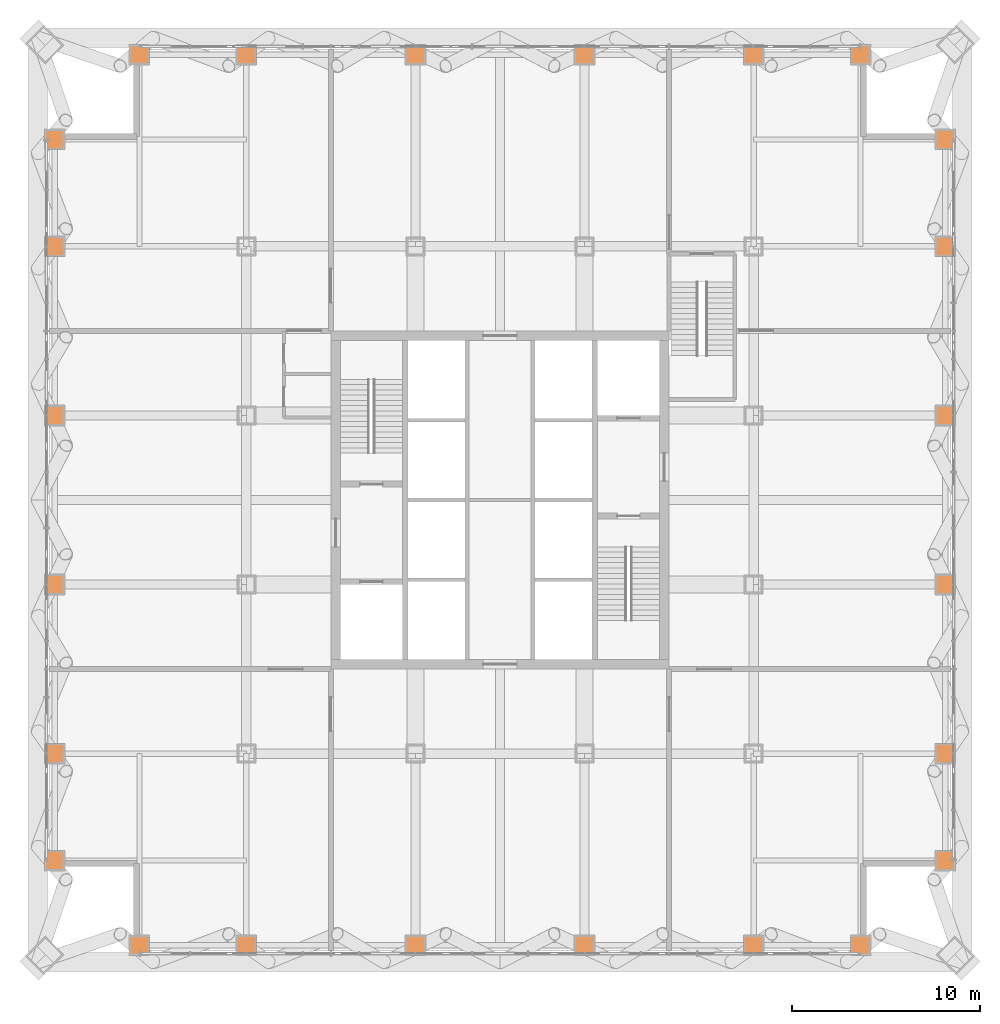
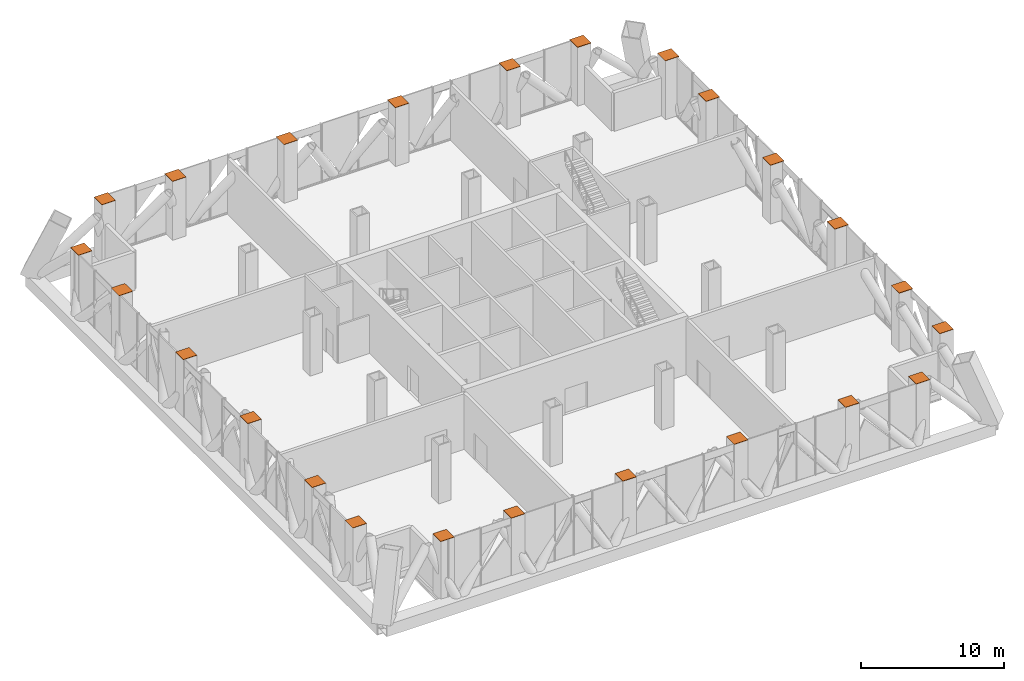
# One storey, part 29 of 29: 24 proxies.
"""IFC4 building model written with IfcOpenShell, lengths in metres."""

from ifc_helpers import new_model, si_unit, direction, frame, origin, origin_2d, place, context, subcontext, project, spatial, rectangle, extrude, material, layer, layer_set, type_object, element, save


model = new_model("IFC4")

# Units and contexts
model_context = context("Model", 3, precision=1e-05, world=origin(), true_north=direction((0.0, 1.0)))
body_context = subcontext(model_context, "Body", "Model", "MODEL_VIEW")
ifc_project = project(units=[si_unit("LENGTHUNIT", "METRE"), si_unit("AREAUNIT", "SQUARE_METRE"), si_unit("VOLUMEUNIT", "CUBIC_METRE"), si_unit("PLANEANGLEUNIT", "RADIAN"), si_unit("MASSUNIT", "GRAM", prefix="KILO")], contexts=[model_context])

# Site, building, storey
site_placement = place(None, origin())
site = spatial("IfcSite", under=ifc_project, at=site_placement, CompositionType="ELEMENT")
building_placement = place(site_placement, origin())
building = spatial("IfcBuilding", under=site, at=building_placement, Name="Malebo Sky Hospital", CompositionType="ELEMENT")
storey_placement = place(building_placement, frame((0.0, 0.0, 172.0)))
storey = spatial("IfcBuildingStorey", under=building, at=storey_placement, Name="L41", CompositionType="ELEMENT", Elevation=172.0)

# Proxies
ifc_material = material(Name="Steel S355", Category="steel")
ifc_layer = layer(ifc_material, 0.030029296875)
ifc_layer_set = layer_set([ifc_layer], Name="COLUMN CAP PLATE 1100x1100x30")
building_element_proxy_type = type_object("IfcBuildingElementProxyType", Name="COLUMN CAP PLATE 1100x1100x30", PredefinedType="USERDEFINED", material=ifc_layer_set)
for number, where, name in (
    (1, (83.699951171875, 75.5, -172.0), "Column cap plate PC10 L41"),
    (2, (83.699951171875, 81.199951171875, -172.0), "Column cap plate PC10 L41"),
    (3, (83.699951171875, 66.5, -172.0), "Column cap plate PC10 L41"),
    (4, (83.699951171875, 48.5, -172.0), "Column cap plate PC10 L41"),
    (5, (83.699951171875, 42.800048828125, -172.0), "Column cap plate PC10 L41"),
    (6, (83.699951171875, 57.5, -172.0), "Column cap plate PC10 L41"),
    (7, (73.5, 85.699951171875, -172.0), "Column cap plate PC10 L41"),
    (8, (79.199951171875, 85.699951171875, -172.0), "Column cap plate PC10 L41"),
    (9, (64.5, 85.699951171875, -172.0), "Column cap plate PC10 L41"),
    (10, (46.5, 85.699951171875, -172.0), "Column cap plate PC10 L41"),
    (11, (40.800048828125, 85.699951171875, -172.0), "Column cap plate PC10 L41"),
    (12, (55.5, 85.699951171875, -172.0), "Column cap plate PC10 L41"),
    (13, (73.5, 38.300048828125, -172.0), "Column cap plate PC10 L41"),
    (14, (79.199951171875, 38.300048828125, -172.0), "Column cap plate PC10 L41"),
    (15, (64.5, 38.300048828125, -172.0), "Column cap plate PC10 L41"),
    (16, (46.5, 38.300048828125, -172.0), "Column cap plate PC10 L41"),
    (17, (40.800048828125, 38.300048828125, -172.0), "Column cap plate PC10 L41"),
    (18, (55.5, 38.300048828125, -172.0), "Column cap plate PC10 L41"),
    (19, (36.300048828125, 75.5, -172.0), "Column cap plate PC10 L41"),
    (20, (36.300048828125, 81.199951171875, -172.0), "Column cap plate PC10 L41"),
    (21, (36.300048828125, 66.5, -172.0), "Column cap plate PC10 L41"),
    (22, (36.300048828125, 48.5, -172.0), "Column cap plate PC10 L41"),
    (23, (36.300048828125, 42.800048828125, -172.0), "Column cap plate PC10 L41"),
    (24, (36.300048828125, 57.5, -172.0), "Column cap plate PC10 L41"),
):
    element("IfcBuildingElementProxy", number, at=place(storey_placement, frame(where)), inside=storey, type_object=building_element_proxy_type, Name=name, ObjectType="COLUMN CAP PLATE", PredefinedType="USERDEFINED", context=body_context, shape_type="SweptSolid", body=[
        extrude(rectangle(XDim=1.10009765625, YDim=1.10009765625, at=origin_2d()), frame((0.0, 0.0, 177.0)), (0.0, 0.0, 1.0), 0.030029296875),
    ])

save(model, "model.ifc")
